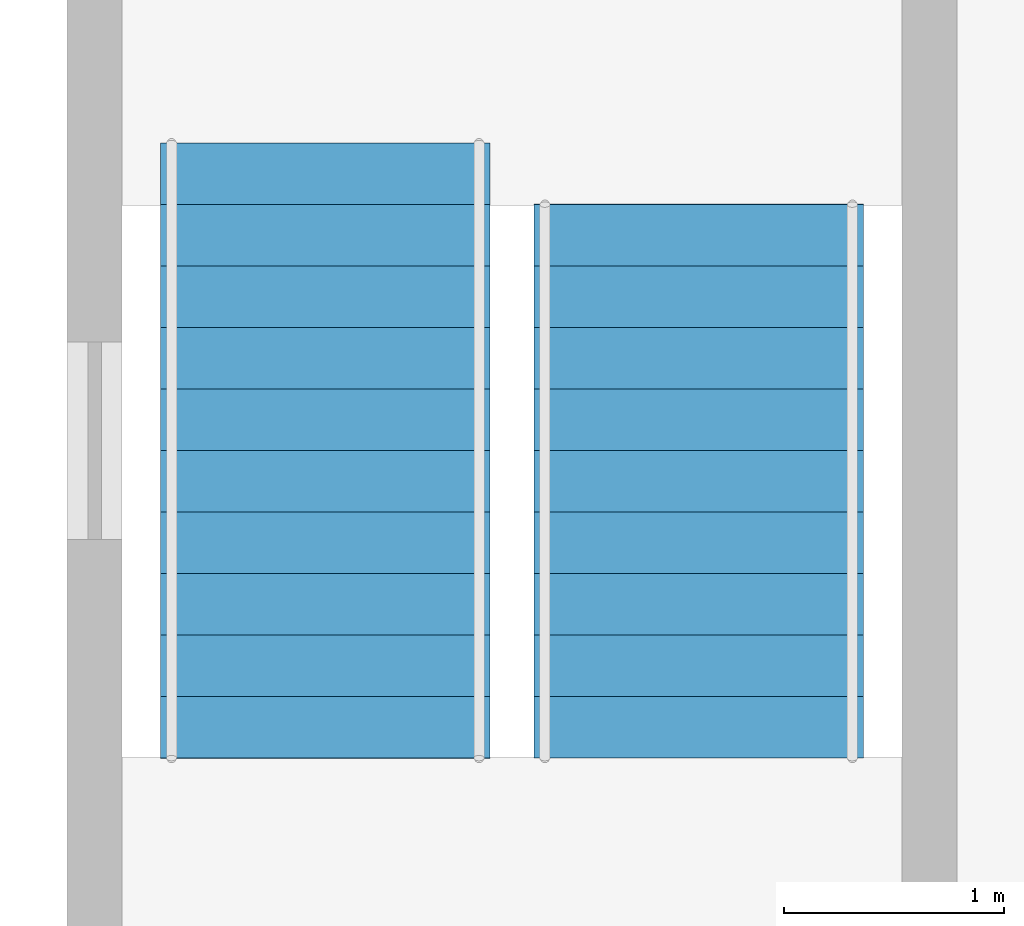
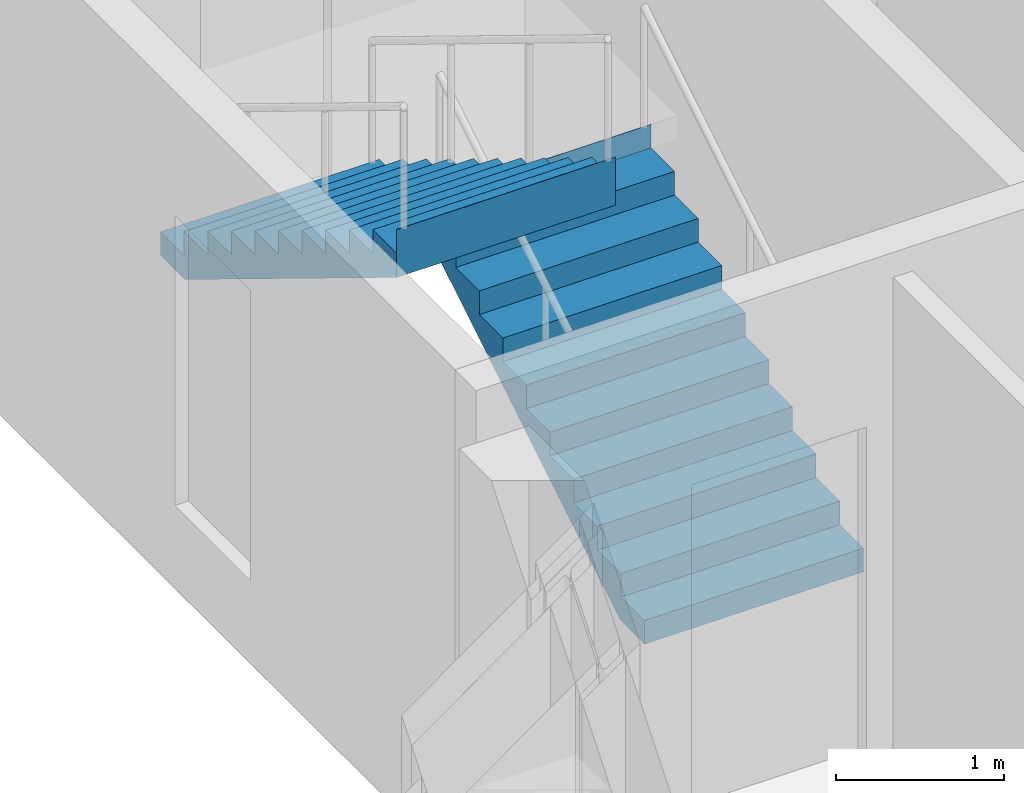
# One storey, part 95 of 124: 2 stair flights, 1 element without a shape of its own.
"""IFC4 building model written with IfcOpenShell, lengths in metres."""

from ifc_helpers import new_model, si_unit, direction, frame, origin, place, context, subcontext, project, spatial, polyline, outline, extrude, material, type_object, element, aggregate, save


model = new_model("IFC4")

# Units and contexts
model_context = context("Model", 3, precision=1e-05, world=origin(), true_north=direction((0.0, 1.0)))
body_context = subcontext(model_context, "Body", "Model", "MODEL_VIEW")
ifc_project = project(units=[si_unit("LENGTHUNIT", "METRE"), si_unit("AREAUNIT", "SQUARE_METRE"), si_unit("VOLUMEUNIT", "CUBIC_METRE"), si_unit("PLANEANGLEUNIT", "RADIAN"), si_unit("MASSUNIT", "GRAM", prefix="KILO")], contexts=[model_context])

# Site, building, storey
site_placement = place(None, origin())
site = spatial("IfcSite", under=ifc_project, at=site_placement, CompositionType="ELEMENT")
building_placement = place(site_placement, origin())
building = spatial("IfcBuilding", under=site, at=building_placement, Name="Kupolbacken Congress Centre", CompositionType="ELEMENT")
storey_placement = place(building_placement, frame((0.0, 0.0, 10.800048828125)))
storey = spatial("IfcBuildingStorey", under=building, at=storey_placement, Name="L03", CompositionType="ELEMENT", Elevation=10.800048828125)

# Stair, stair flights
ifc_material_1 = material(Name="Steel S355", Category="steel")
stair_type = type_object("IfcStairType", Name="ST2 stair 1500", PredefinedType="TWO_STRAIGHT_RUN_STAIR", material=ifc_material_1)
stair_placement = place(storey_placement, origin())
stair = element("IfcStair", 1, at=stair_placement, inside=storey, type_object=stair_type, Name="C/stair/BS2/L03", PredefinedType="NOTDEFINED")
ifc_material_2 = material(Name="Steel S355", Category="steel")
stair_flight_type_1 = type_object("IfcStairFlightType", Name="FL3 stair flight 1500 x 10 risers", PredefinedType="STRAIGHT", material=ifc_material_2)
stair_flight_1_placement = place(storey_placement, frame((139.550048828125, 146.7548828125, 0.0), z_axis=(0.0, 0.0, 1.0), x_axis=(0.0, 1.0, 0.0)))
stair_flight_1 = element("IfcStairFlight", 2, at=stair_flight_1_placement, type_object=stair_flight_type_1, Name="BS2 flight 1", NumberOfRisers=10, NumberOfTreads=9, PredefinedType="STRAIGHT", RiserHeight=0.171428571, TreadLength=0.28, context=body_context, shape_type="SweptSolid", body=[
    extrude(outline(polyline([(0.0, 0.0), (0.0, 0.0009765625), (0.0, 0.002197265625), (0.0, 0.003173828125), (0.0, 0.004150390625), (0.0, 0.00537109375), (0.0, 0.00634765625), (0.0, 0.007568359375), (0.0, 0.008544921875), (0.0, 0.009521484375), (0.0, 0.0107421875), (0.0, 0.01171875), (0.0, 0.0126953125), (0.0, 0.013916015625), (0.0, 0.014892578125), (0.0, 0.015869140625), (0.0, 0.01708984375), (0.0, 0.01806640625), (0.0, 0.019287109375), (0.0, 0.020263671875), (0.0, 0.021240234375), (0.0, 0.0224609375), (0.0, 0.0234375), (0.0, 0.0244140625), (0.0, 0.025634765625), (0.0, 0.026611328125), (0.0, 0.027587890625), (0.0, 0.02880859375), (0.0, 0.02978515625), (0.0, 0.03076171875), (0.0, 0.031982421875), (0.0, 0.032958984375), (0.0, 0.0341796875), (0.0, 0.03515625), (0.0, 0.0361328125), (0.0, 0.037353515625), (0.0, 0.038330078125), (0.0, 0.039306640625), (0.0, 0.04052734375), (0.0, 0.04150390625), (0.0, 0.04248046875), (0.0, 0.043701171875), (0.0, 0.044677734375), (0.0, 0.0458984375), (0.0, 0.046875), (0.0, 0.0478515625), (0.0, 0.049072265625), (0.0, 0.050048828125), (0.0, 0.051025390625), (0.0, 0.05224609375), (0.0, 0.05322265625), (0.0, 0.05419921875), (0.0, 0.055419921875), (0.0, 0.056396484375), (0.0, 0.0576171875), (0.0, 0.05859375), (0.0, 0.0595703125), (0.0, 0.060791015625), (0.0, 0.061767578125), (0.0, 0.062744140625), (0.0, 0.06396484375), (0.0, 0.06494140625), (0.0, 0.06591796875), (0.0, 0.067138671875), (0.0, 0.068115234375), (0.0, 0.069091796875), (0.0, 0.0703125), (0.0, 0.0712890625), (0.0, 0.072509765625), (0.0, 0.073486328125), (0.0, 0.074462890625), (0.0, 0.07568359375), (0.0, 0.07666015625), (0.0, 0.07763671875), (0.0, 0.078857421875), (0.0, 0.079833984375), (0.0, 0.080810546875), (0.0, 0.08203125), (0.0, 0.0830078125), (0.0, 0.084228515625), (0.0, 0.085205078125), (0.0, 0.086181640625), (0.0, 0.08740234375), (0.0, 0.08837890625), (0.0, 0.08935546875), (0.0, 0.090576171875), (0.0, 0.091552734375), (0.0, 0.092529296875), (0.0, 0.09375), (0.0, 0.0947265625), (0.0, 0.095947265625), (0.0, 0.096923828125), (0.0, 0.097900390625), (0.0, 0.09912109375), (0.0, 0.10009765625), (0.0, 0.10107421875), (0.0, 0.102294921875), (0.0, 0.103271484375), (0.0, 0.104248046875), (0.0, 0.10546875), (0.0, 0.1064453125), (0.0, 0.107421875), (0.0, 0.108642578125), (0.0, 0.109619140625), (0.0, 0.11083984375), (0.0, 0.11181640625), (0.0, 0.11279296875), (0.0, 0.114013671875), (0.0, 0.114990234375), (0.0, 0.115966796875), (0.0, 0.1171875), (0.0, 0.1181640625), (0.0, 0.119140625), (0.0, 0.120361328125), (0.0, 0.121337890625), (0.0, 0.12255859375), (0.0, 0.12353515625), (0.0, 0.12451171875), (0.0, 0.125732421875), (0.0, 0.126708984375), (0.0, 0.127685546875), (0.0, 0.12890625), (0.0, 0.1298828125), (0.0, 0.130859375), (0.0, 0.132080078125), (0.0, 0.133056640625), (0.0, 0.13427734375), (0.0, 0.13525390625), (0.0, 0.13623046875), (0.0, 0.137451171875), (0.0, 0.138427734375), (0.0, 0.139404296875), (0.0, 0.140625), (0.0, 0.1416015625), (0.0, 0.142578125), (0.0, 0.143798828125), (0.0, 0.144775390625), (0.0, 0.145751953125), (0.0, 0.14697265625), (0.0, 0.14794921875), (0.0, 0.149169921875), (0.0, 0.150146484375), (0.0, 0.151123046875), (0.0, 0.15234375), (0.0, 0.1533203125), (0.0, 0.154296875), (0.0, 0.155517578125), (0.0, 0.156494140625), (0.0, 0.157470703125), (0.0, 0.15869140625), (0.0, 0.15966796875), (0.0, 0.160888671875), (0.0, 0.161865234375), (0.0, 0.162841796875), (0.0, 0.1640625), (0.0, 0.1650390625), (0.0, 0.166015625), (0.0, 0.167236328125), (0.0, 0.168212890625), (0.0, 0.169189453125), (0.0, 0.17041015625), (0.0, 0.17138671875), (0.280029296875, 0.17138671875), (0.280029296875, 0.3427734375), (0.56005859375, 0.3427734375), (0.56005859375, 0.514404296875), (0.840087890625, 0.514404296875), (0.840087890625, 0.685791015625), (1.1201171875, 0.685791015625), (1.1201171875, 0.857177734375), (1.39990234375, 0.857177734375), (1.39990234375, 1.028564453125), (1.679931640625, 1.028564453125), (1.679931640625, 1.199951171875), (1.9599609375, 1.199951171875), (1.9599609375, 1.371337890625), (2.239990234375, 1.371337890625), (2.239990234375, 1.54296875), (2.52001953125, 1.54296875), (2.52001953125, 1.71435546875), (2.52197265625, 1.71435546875), (2.52197265625, 1.712158203125), (2.52197265625, 1.7099609375), (2.52197265625, 1.707763671875), (2.52197265625, 1.70556640625), (2.52197265625, 1.70361328125), (2.52197265625, 1.701416015625), (2.52197265625, 1.69921875), (2.52197265625, 1.697021484375), (2.52197265625, 1.69482421875), (2.52197265625, 1.692626953125), (2.52197265625, 1.690673828125), (2.52197265625, 1.6884765625), (2.52197265625, 1.686279296875), (2.52197265625, 1.68408203125), (2.52197265625, 1.681884765625), (2.52197265625, 1.6796875), (2.52197265625, 1.677734375), (2.52197265625, 1.675537109375), (2.52197265625, 1.67333984375), (2.52197265625, 1.671142578125), (2.52197265625, 1.6689453125), (2.52197265625, 1.666748046875), (2.52197265625, 1.664794921875), (2.52197265625, 1.66259765625), (2.52197265625, 1.660400390625), (2.52197265625, 1.658203125), (2.52197265625, 1.656005859375), (2.52197265625, 1.65380859375), (2.52197265625, 1.65185546875), (2.52197265625, 1.649658203125), (2.52197265625, 1.6474609375), (2.52197265625, 1.645263671875), (2.52197265625, 1.64306640625), (2.52197265625, 1.640869140625), (2.52197265625, 1.638916015625), (2.52197265625, 1.63671875), (2.52197265625, 1.634521484375), (2.52197265625, 1.63232421875), (2.52197265625, 1.630126953125), (2.52197265625, 1.6279296875), (2.52197265625, 1.6259765625), (2.52197265625, 1.623779296875), (2.52197265625, 1.62158203125), (2.52197265625, 1.619384765625), (2.52197265625, 1.6171875), (2.52197265625, 1.614990234375), (2.52197265625, 1.613037109375), (2.52197265625, 1.61083984375), (2.52197265625, 1.608642578125), (2.52197265625, 1.6064453125), (2.52197265625, 1.604248046875), (2.52197265625, 1.60205078125), (2.52197265625, 1.60009765625), (2.52197265625, 1.597900390625), (2.52197265625, 1.595703125), (2.52197265625, 1.593505859375), (2.52197265625, 1.59130859375), (2.52197265625, 1.589111328125), (2.52197265625, 1.587158203125), (2.52197265625, 1.5849609375), (2.52197265625, 1.582763671875), (2.52197265625, 1.58056640625), (2.52197265625, 1.578369140625), (2.52197265625, 1.576171875), (2.52197265625, 1.57421875), (2.52197265625, 1.572021484375), (2.52197265625, 1.56982421875), (2.52197265625, 1.567626953125), (2.52197265625, 1.5654296875), (2.52197265625, 1.563232421875), (2.52197265625, 1.561279296875), (2.52197265625, 1.55908203125), (2.52197265625, 1.556884765625), (2.52197265625, 1.5546875), (2.52197265625, 1.552490234375), (2.52197265625, 1.55029296875), (2.52197265625, 1.54833984375), (2.52197265625, 1.546142578125), (2.52197265625, 1.5439453125), (2.52197265625, 1.541748046875), (2.52197265625, 1.53955078125), (2.52197265625, 1.537353515625), (2.52197265625, 1.535400390625), (2.52197265625, 1.533203125), (2.52197265625, 1.531005859375), (2.52197265625, 1.52880859375), (2.52197265625, 1.526611328125), (2.52197265625, 1.5244140625), (2.52197265625, 1.5224609375), (2.52197265625, 1.520263671875), (2.52197265625, 1.51806640625), (2.52197265625, 1.515869140625), (2.52197265625, 1.513671875), (2.52197265625, 1.511474609375), (2.52197265625, 1.509521484375), (2.52197265625, 1.50732421875), (2.52197265625, 1.505126953125), (2.52197265625, 1.5029296875), (2.52197265625, 1.500732421875), (2.52197265625, 1.49853515625), (2.52197265625, 1.49658203125), (2.52197265625, 1.494384765625), (2.52197265625, 1.4921875), (2.52197265625, 1.489990234375), (2.52197265625, 1.48779296875), (2.52197265625, 1.485595703125), (2.52197265625, 1.483642578125), (2.52197265625, 1.4814453125), (2.52197265625, 1.479248046875), (2.52197265625, 1.47705078125), (2.52197265625, 1.474853515625), (2.52197265625, 1.47265625), (2.52197265625, 1.470703125), (2.52197265625, 1.468505859375), (2.52197265625, 1.46630859375), (2.52197265625, 1.464111328125), (2.52197265625, 1.4619140625), (2.52197265625, 1.459716796875), (2.52197265625, 1.457763671875), (2.52197265625, 1.45556640625), (2.52197265625, 1.453369140625), (2.52197265625, 1.451171875), (2.52197265625, 1.448974609375), (2.52197265625, 1.44677734375), (2.52197265625, 1.44482421875), (2.52197265625, 1.442626953125), (2.52197265625, 1.4404296875), (2.52197265625, 1.438232421875), (2.52197265625, 1.43603515625), (2.52197265625, 1.433837890625), (2.52197265625, 1.431884765625), (2.52197265625, 1.4296875), (2.52197265625, 1.427490234375), (2.52197265625, 1.42529296875), (2.52197265625, 1.423095703125), (2.52197265625, 1.4208984375), (2.52197265625, 1.4189453125), (2.52197265625, 1.416748046875), (2.52197265625, 1.41455078125), (2.52197265625, 1.412353515625), (2.52197265625, 1.41015625), (2.52197265625, 1.407958984375), (2.52197265625, 1.406005859375), (2.52197265625, 1.40380859375), (2.52197265625, 1.401611328125), (2.52197265625, 1.3994140625), (2.52197265625, 1.397216796875), (2.52197265625, 1.39501953125), (2.52197265625, 1.39306640625), (2.52197265625, 1.390869140625), (2.52197265625, 1.388671875), (2.52197265625, 1.386474609375), (2.52197265625, 1.38427734375), (2.52197265625, 1.382080078125), (2.52197265625, 1.380126953125), (2.52197265625, 1.3779296875), (2.52197265625, 1.375732421875), (2.52197265625, 1.37353515625), (2.52197265625, 1.371337890625), (2.52197265625, 1.369140625), (2.52197265625, 1.3671875), (0.2890625, 0.0), (0.0, 0.0)])), frame((0.0, 0.75, 0.0), z_axis=(0.0, -1.0, 0.0), x_axis=(1.0, 0.0, 0.0)), (0.0, 0.0, 1.0), 1.5),
])
ifc_material_3 = material(Name="Steel S355", Category="steel")
stair_flight_type_2 = type_object("IfcStairFlightType", Name="FL4 stair flight 1500 x 11 risers", PredefinedType="STRAIGHT", material=ifc_material_3)
stair_flight_2_placement = place(storey_placement, frame((137.85009765625, 149.554931640625, 1.71435546875), z_axis=(0.0, 0.0, 1.0), x_axis=(0.0, -1.0, 0.0)))
stair_flight_2 = element("IfcStairFlight", 3, at=stair_flight_2_placement, type_object=stair_flight_type_2, Name="BS2 flight 2", NumberOfRisers=11, NumberOfTreads=10, PredefinedType="STRAIGHT", RiserHeight=0.171428571, TreadLength=0.28, context=body_context, shape_type="SweptSolid", body=[
    extrude(outline(polyline([(0.0, 0.0), (0.0, 0.0009765625), (0.0, 0.002197265625), (0.0, 0.003173828125), (0.0, 0.004150390625), (0.0, 0.00537109375), (0.0, 0.00634765625), (0.0, 0.007568359375), (0.0, 0.008544921875), (0.0, 0.009521484375), (0.0, 0.0107421875), (0.0, 0.01171875), (0.0, 0.0126953125), (0.0, 0.013916015625), (0.0, 0.014892578125), (0.0, 0.015869140625), (0.0, 0.01708984375), (0.0, 0.01806640625), (0.0, 0.019287109375), (0.0, 0.020263671875), (0.0, 0.021240234375), (0.0, 0.0224609375), (0.0, 0.0234375), (0.0, 0.0244140625), (0.0, 0.025634765625), (0.0, 0.026611328125), (0.0, 0.027587890625), (0.0, 0.02880859375), (0.0, 0.02978515625), (0.0, 0.03076171875), (0.0, 0.031982421875), (0.0, 0.032958984375), (0.0, 0.0341796875), (0.0, 0.03515625), (0.0, 0.0361328125), (0.0, 0.037353515625), (0.0, 0.038330078125), (0.0, 0.039306640625), (0.0, 0.04052734375), (0.0, 0.04150390625), (0.0, 0.04248046875), (0.0, 0.043701171875), (0.0, 0.044677734375), (0.0, 0.0458984375), (0.0, 0.046875), (0.0, 0.0478515625), (0.0, 0.049072265625), (0.0, 0.050048828125), (0.0, 0.051025390625), (0.0, 0.05224609375), (0.0, 0.05322265625), (0.0, 0.05419921875), (0.0, 0.055419921875), (0.0, 0.056396484375), (0.0, 0.0576171875), (0.0, 0.05859375), (0.0, 0.0595703125), (0.0, 0.060791015625), (0.0, 0.061767578125), (0.0, 0.062744140625), (0.0, 0.06396484375), (0.0, 0.06494140625), (0.0, 0.06591796875), (0.0, 0.067138671875), (0.0, 0.068115234375), (0.0, 0.069091796875), (0.0, 0.0703125), (0.0, 0.0712890625), (0.0, 0.072509765625), (0.0, 0.073486328125), (0.0, 0.074462890625), (0.0, 0.07568359375), (0.0, 0.07666015625), (0.0, 0.07763671875), (0.0, 0.078857421875), (0.0, 0.079833984375), (0.0, 0.080810546875), (0.0, 0.08203125), (0.0, 0.0830078125), (0.0, 0.084228515625), (0.0, 0.085205078125), (0.0, 0.086181640625), (0.0, 0.08740234375), (0.0, 0.08837890625), (0.0, 0.08935546875), (0.0, 0.090576171875), (0.0, 0.091552734375), (0.0, 0.092529296875), (0.0, 0.09375), (0.0, 0.0947265625), (0.0, 0.095947265625), (0.0, 0.096923828125), (0.0, 0.097900390625), (0.0, 0.09912109375), (0.0, 0.10009765625), (0.0, 0.10107421875), (0.0, 0.102294921875), (0.0, 0.103271484375), (0.0, 0.104248046875), (0.0, 0.10546875), (0.0, 0.1064453125), (0.0, 0.107421875), (0.0, 0.108642578125), (0.0, 0.109619140625), (0.0, 0.11083984375), (0.0, 0.11181640625), (0.0, 0.11279296875), (0.0, 0.114013671875), (0.0, 0.114990234375), (0.0, 0.115966796875), (0.0, 0.1171875), (0.0, 0.1181640625), (0.0, 0.119140625), (0.0, 0.120361328125), (0.0, 0.121337890625), (0.0, 0.12255859375), (0.0, 0.12353515625), (0.0, 0.12451171875), (0.0, 0.125732421875), (0.0, 0.126708984375), (0.0, 0.127685546875), (0.0, 0.12890625), (0.0, 0.1298828125), (0.0, 0.130859375), (0.0, 0.132080078125), (0.0, 0.133056640625), (0.0, 0.13427734375), (0.0, 0.13525390625), (0.0, 0.13623046875), (0.0, 0.137451171875), (0.0, 0.138427734375), (0.0, 0.139404296875), (0.0, 0.140625), (0.0, 0.1416015625), (0.0, 0.142578125), (0.0, 0.143798828125), (0.0, 0.144775390625), (0.0, 0.145751953125), (0.0, 0.14697265625), (0.0, 0.14794921875), (0.0, 0.149169921875), (0.0, 0.150146484375), (0.0, 0.151123046875), (0.0, 0.15234375), (0.0, 0.1533203125), (0.0, 0.154296875), (0.0, 0.155517578125), (0.0, 0.156494140625), (0.0, 0.157470703125), (0.0, 0.15869140625), (0.0, 0.15966796875), (0.0, 0.160888671875), (0.0, 0.161865234375), (0.0, 0.162841796875), (0.0, 0.1640625), (0.0, 0.1650390625), (0.0, 0.166015625), (0.0, 0.167236328125), (0.0, 0.168212890625), (0.0, 0.169189453125), (0.0, 0.17041015625), (0.0, 0.17138671875), (0.280029296875, 0.17138671875), (0.280029296875, 0.3427734375), (0.56005859375, 0.3427734375), (0.56005859375, 0.514404296875), (0.840087890625, 0.514404296875), (0.840087890625, 0.685791015625), (1.1201171875, 0.685791015625), (1.1201171875, 0.857177734375), (1.39990234375, 0.857177734375), (1.39990234375, 1.028564453125), (1.679931640625, 1.028564453125), (1.679931640625, 1.199951171875), (1.9599609375, 1.199951171875), (1.9599609375, 1.371337890625), (2.239990234375, 1.371337890625), (2.239990234375, 1.54296875), (2.52001953125, 1.54296875), (2.52001953125, 1.71435546875), (2.800048828125, 1.71435546875), (2.800048828125, 1.8857421875), (2.802001953125, 1.8857421875), (2.802001953125, 1.883544921875), (2.802001953125, 1.88134765625), (2.802001953125, 1.879150390625), (2.802001953125, 1.877197265625), (2.802001953125, 1.875), (2.802001953125, 1.872802734375), (2.802001953125, 1.87060546875), (2.802001953125, 1.868408203125), (2.802001953125, 1.8662109375), (2.802001953125, 1.8642578125), (2.802001953125, 1.862060546875), (2.802001953125, 1.85986328125), (2.802001953125, 1.857666015625), (2.802001953125, 1.85546875), (2.802001953125, 1.853271484375), (2.802001953125, 1.851318359375), (2.802001953125, 1.84912109375), (2.802001953125, 1.846923828125), (2.802001953125, 1.8447265625), (2.802001953125, 1.842529296875), (2.802001953125, 1.84033203125), (2.802001953125, 1.83837890625), (2.802001953125, 1.836181640625), (2.802001953125, 1.833984375), (2.802001953125, 1.831787109375), (2.802001953125, 1.82958984375), (2.802001953125, 1.827392578125), (2.802001953125, 1.825439453125), (2.802001953125, 1.8232421875), (2.802001953125, 1.821044921875), (2.802001953125, 1.81884765625), (2.802001953125, 1.816650390625), (2.802001953125, 1.814453125), (2.802001953125, 1.8125), (2.802001953125, 1.810302734375), (2.802001953125, 1.80810546875), (2.802001953125, 1.805908203125), (2.802001953125, 1.8037109375), (2.802001953125, 1.801513671875), (2.802001953125, 1.799560546875), (2.802001953125, 1.79736328125), (2.802001953125, 1.795166015625), (2.802001953125, 1.79296875), (2.802001953125, 1.790771484375), (2.802001953125, 1.78857421875), (2.802001953125, 1.78662109375), (2.802001953125, 1.784423828125), (2.802001953125, 1.7822265625), (2.802001953125, 1.780029296875), (2.802001953125, 1.77783203125), (2.802001953125, 1.775634765625), (2.802001953125, 1.773681640625), (2.802001953125, 1.771484375), (2.802001953125, 1.769287109375), (2.802001953125, 1.76708984375), (2.802001953125, 1.764892578125), (2.802001953125, 1.7626953125), (2.802001953125, 1.7607421875), (2.802001953125, 1.758544921875), (2.802001953125, 1.75634765625), (2.802001953125, 1.754150390625), (2.802001953125, 1.751953125), (2.802001953125, 1.749755859375), (2.802001953125, 1.747802734375), (2.802001953125, 1.74560546875), (2.802001953125, 1.743408203125), (2.802001953125, 1.7412109375), (2.802001953125, 1.739013671875), (2.802001953125, 1.73681640625), (2.802001953125, 1.73486328125), (2.802001953125, 1.732666015625), (2.802001953125, 1.73046875), (2.802001953125, 1.728271484375), (2.802001953125, 1.72607421875), (2.802001953125, 1.723876953125), (2.802001953125, 1.721923828125), (2.802001953125, 1.7197265625), (2.802001953125, 1.717529296875), (2.802001953125, 1.71533203125), (2.802001953125, 1.713134765625), (2.802001953125, 1.7109375), (2.802001953125, 1.708984375), (2.802001953125, 1.706787109375), (2.802001953125, 1.70458984375), (2.802001953125, 1.702392578125), (2.802001953125, 1.7001953125), (2.802001953125, 1.697998046875), (2.802001953125, 1.696044921875), (2.802001953125, 1.69384765625), (2.802001953125, 1.691650390625), (2.802001953125, 1.689453125), (2.802001953125, 1.687255859375), (2.802001953125, 1.68505859375), (2.802001953125, 1.68310546875), (2.802001953125, 1.680908203125), (2.802001953125, 1.6787109375), (2.802001953125, 1.676513671875), (2.802001953125, 1.67431640625), (2.802001953125, 1.672119140625), (2.802001953125, 1.670166015625), (2.802001953125, 1.66796875), (2.802001953125, 1.665771484375), (2.802001953125, 1.66357421875), (2.802001953125, 1.661376953125), (2.802001953125, 1.6591796875), (2.802001953125, 1.6572265625), (2.802001953125, 1.655029296875), (2.802001953125, 1.65283203125), (2.802001953125, 1.650634765625), (2.802001953125, 1.6484375), (2.802001953125, 1.646240234375), (2.802001953125, 1.644287109375), (2.802001953125, 1.64208984375), (2.802001953125, 1.639892578125), (2.802001953125, 1.6376953125), (2.802001953125, 1.635498046875), (2.802001953125, 1.63330078125), (2.802001953125, 1.63134765625), (2.802001953125, 1.629150390625), (2.802001953125, 1.626953125), (2.802001953125, 1.624755859375), (2.802001953125, 1.62255859375), (2.802001953125, 1.620361328125), (2.802001953125, 1.618408203125), (2.802001953125, 1.6162109375), (2.802001953125, 1.614013671875), (2.802001953125, 1.61181640625), (2.802001953125, 1.609619140625), (2.802001953125, 1.607421875), (2.802001953125, 1.60546875), (2.802001953125, 1.603271484375), (2.802001953125, 1.60107421875), (2.802001953125, 1.598876953125), (2.802001953125, 1.5966796875), (2.802001953125, 1.594482421875), (2.802001953125, 1.592529296875), (2.802001953125, 1.59033203125), (2.802001953125, 1.588134765625), (2.802001953125, 1.5859375), (2.802001953125, 1.583740234375), (2.802001953125, 1.58154296875), (2.802001953125, 1.57958984375), (2.802001953125, 1.577392578125), (2.802001953125, 1.5751953125), (2.802001953125, 1.572998046875), (2.802001953125, 1.57080078125), (2.802001953125, 1.568603515625), (2.802001953125, 1.566650390625), (2.802001953125, 1.564453125), (2.802001953125, 1.562255859375), (2.802001953125, 1.56005859375), (2.802001953125, 1.557861328125), (2.802001953125, 1.5556640625), (2.802001953125, 1.5537109375), (2.802001953125, 1.551513671875), (2.802001953125, 1.54931640625), (2.802001953125, 1.547119140625), (2.802001953125, 1.544921875), (2.802001953125, 1.542724609375), (2.802001953125, 1.540771484375), (2.802001953125, 1.53857421875), (0.2890625, 0.0), (0.0, 0.0)])), frame((0.0, 0.75, 0.0), z_axis=(0.0, -1.0, 0.0), x_axis=(1.0, 0.0, 0.0)), (0.0, 0.0, 1.0), 1.5),
])
aggregate(stair, [stair_flight_1, stair_flight_2])

save(model, "model.ifc")
